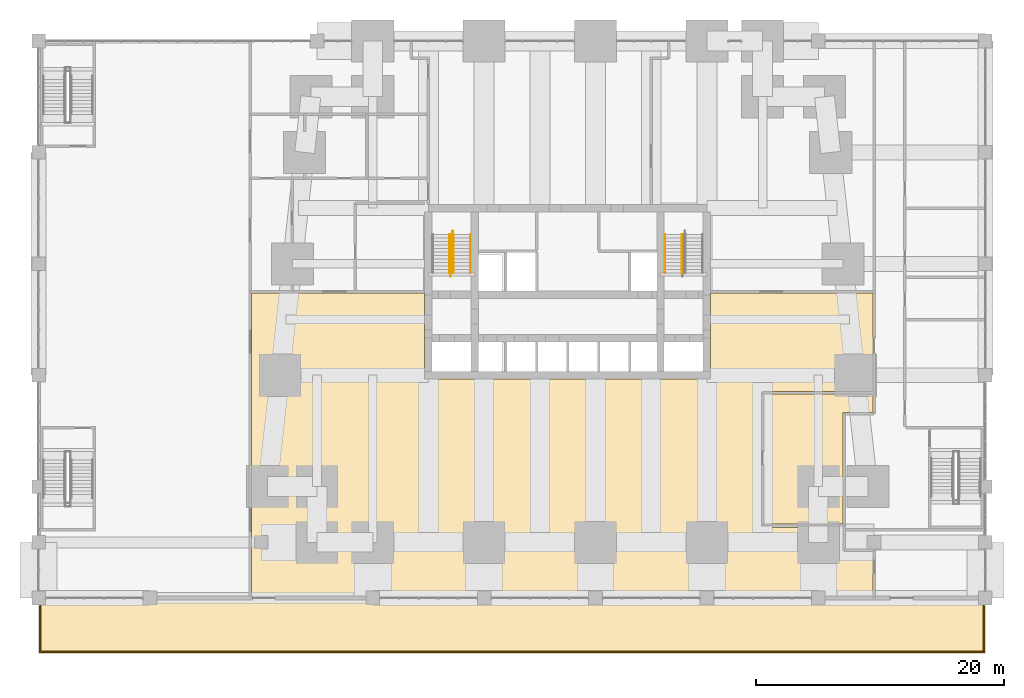
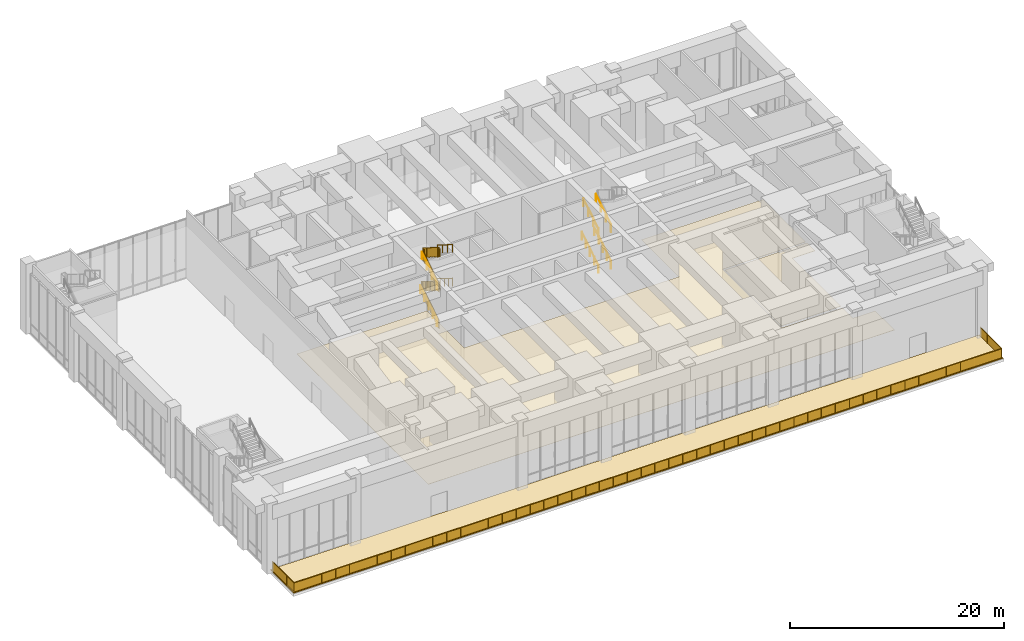
# One storey, part 24 of 26: 15 railings, 3 coverings.
"""IFC4 building model written with IfcOpenShell, lengths in metres."""

from ifc_helpers import new_model, si_unit, direction, frame, origin, origin_2d, place, context, subcontext, project, spatial, polyline, circle, outline, extrude, material, layer, layer_set, type_object, element, save


model = new_model("IFC4")

# Units and contexts
model_context = context("Model", 3, precision=1e-05, world=origin(), true_north=direction((0.0, 1.0)))
body_context = subcontext(model_context, "Body", "Model", "MODEL_VIEW")
ifc_project = project(units=[si_unit("LENGTHUNIT", "METRE"), si_unit("AREAUNIT", "SQUARE_METRE"), si_unit("VOLUMEUNIT", "CUBIC_METRE"), si_unit("PLANEANGLEUNIT", "RADIAN"), si_unit("MASSUNIT", "GRAM", prefix="KILO")], contexts=[model_context])

# Site, building, storey
site_placement = place(None, origin())
site = spatial("IfcSite", under=ifc_project, at=site_placement, CompositionType="ELEMENT")
building_placement = place(site_placement, origin())
building = spatial("IfcBuilding", under=site, at=building_placement, Name="Kilele Tower Hotel", CompositionType="ELEMENT")
storey_placement = place(building_placement, frame((0.0, 0.0, 11.0)))
storey = spatial("IfcBuildingStorey", under=building, at=storey_placement, Name="L02", CompositionType="ELEMENT", Elevation=11.0)

# Railings
ifc_material_1 = material(Name="Toughened laminated glass balustrade", Category="glass")
railing_type_1 = type_object("IfcRailingType", Name="Glass balustrade 1100", PredefinedType="BALUSTRADE", material=ifc_material_1)
railing_1_placement = place(storey_placement, frame((58.35009765625, -4.800048828125, 0.050048828125)))
element("IfcRailing", 1, at=railing_1_placement, inside=storey, type_object=railing_type_1, Name="Terrace balustrade", PredefinedType="BALUSTRADE", context=body_context, shape_type="SweptSolid", body=[
    extrude(circle(Radius=0.030029296875, at=origin_2d()), frame((0.0, 0.0, 1.070068359375), z_axis=(0.0, -1.0, 0.0), x_axis=(1.0, 0.0, 0.0)), (0.0, 0.0, 1.0), 4.050048828125),
    extrude(circle(Radius=0.030029296875, at=origin_2d()), frame((0.0, -4.050048828125, 1.070068359375), z_axis=(-1.0, 0.0, 0.0), x_axis=(0.0, -1.0, 0.0)), (0.0, 0.0, 1.0), 76.2001953125),
    extrude(circle(Radius=0.030029296875, at=origin_2d()), frame((-76.2001953125, -4.050048828125, 1.070068359375), z_axis=(0.0, 1.0, 0.0), x_axis=(-1.0, 0.0, 0.0)), (0.0, 0.0, 1.0), 4.050048828125),
    extrude(circle(Radius=0.02490234375, at=origin_2d()), origin(), (0.0, 0.0, 1.0), 1.0400390625),
    extrude(circle(Radius=0.02490234375, at=origin_2d()), frame((0.0, -1.35009765625, 0.0)), (0.0, 0.0, 1.0), 1.0400390625),
    extrude(circle(Radius=0.02490234375, at=origin_2d()), frame((0.0, -2.699951171875, 0.0)), (0.0, 0.0, 1.0), 1.0400390625),
    extrude(circle(Radius=0.02490234375, at=origin_2d()), frame((0.0, -4.050048828125, 0.0)), (0.0, 0.0, 1.0), 1.0400390625),
    extrude(circle(Radius=0.02490234375, at=origin_2d()), frame((-1.494140625, -4.050048828125, 0.0)), (0.0, 0.0, 1.0), 1.0400390625),
    extrude(circle(Radius=0.02490234375, at=origin_2d()), frame((-2.98828125, -4.050048828125, 0.0)), (0.0, 0.0, 1.0), 1.0400390625),
    extrude(circle(Radius=0.02490234375, at=origin_2d()), frame((-4.482421875, -4.050048828125, 0.0)), (0.0, 0.0, 1.0), 1.0400390625),
    extrude(circle(Radius=0.02490234375, at=origin_2d()), frame((-5.9765625, -4.050048828125, 0.0)), (0.0, 0.0, 1.0), 1.0400390625),
    extrude(circle(Radius=0.02490234375, at=origin_2d()), frame((-7.470703125, -4.050048828125, 0.0)), (0.0, 0.0, 1.0), 1.0400390625),
    extrude(circle(Radius=0.02490234375, at=origin_2d()), frame((-8.96484375, -4.050048828125, 0.0)), (0.0, 0.0, 1.0), 1.0400390625),
    extrude(circle(Radius=0.02490234375, at=origin_2d()), frame((-10.458740234375, -4.050048828125, 0.0)), (0.0, 0.0, 1.0), 1.0400390625),
    extrude(circle(Radius=0.02490234375, at=origin_2d()), frame((-11.952880859375, -4.050048828125, 0.0)), (0.0, 0.0, 1.0), 1.0400390625),
    extrude(circle(Radius=0.02490234375, at=origin_2d()), frame((-13.447021484375, -4.050048828125, 0.0)), (0.0, 0.0, 1.0), 1.0400390625),
    extrude(circle(Radius=0.02490234375, at=origin_2d()), frame((-14.941162109375, -4.050048828125, 0.0)), (0.0, 0.0, 1.0), 1.0400390625),
    extrude(circle(Radius=0.02490234375, at=origin_2d()), frame((-16.435302734375, -4.050048828125, 0.0)), (0.0, 0.0, 1.0), 1.0400390625),
    extrude(circle(Radius=0.02490234375, at=origin_2d()), frame((-17.929443359375, -4.050048828125, 0.0)), (0.0, 0.0, 1.0), 1.0400390625),
    extrude(circle(Radius=0.02490234375, at=origin_2d()), frame((-19.423583984375, -4.050048828125, 0.0)), (0.0, 0.0, 1.0), 1.0400390625),
    extrude(circle(Radius=0.02490234375, at=origin_2d()), frame((-20.917724609375, -4.050048828125, 0.0)), (0.0, 0.0, 1.0), 1.0400390625),
    extrude(circle(Radius=0.02490234375, at=origin_2d()), frame((-22.411865234375, -4.050048828125, 0.0)), (0.0, 0.0, 1.0), 1.0400390625),
    extrude(circle(Radius=0.02490234375, at=origin_2d()), frame((-23.906005859375, -4.050048828125, 0.0)), (0.0, 0.0, 1.0), 1.0400390625),
    extrude(circle(Radius=0.02490234375, at=origin_2d()), frame((-25.400146484375, -4.050048828125, 0.0)), (0.0, 0.0, 1.0), 1.0400390625),
    extrude(circle(Radius=0.02490234375, at=origin_2d()), frame((-26.894287109375, -4.050048828125, 0.0)), (0.0, 0.0, 1.0), 1.0400390625),
    extrude(circle(Radius=0.02490234375, at=origin_2d()), frame((-28.388427734375, -4.050048828125, 0.0)), (0.0, 0.0, 1.0), 1.0400390625),
    extrude(circle(Radius=0.02490234375, at=origin_2d()), frame((-29.88232421875, -4.050048828125, 0.0)), (0.0, 0.0, 1.0), 1.0400390625),
    extrude(circle(Radius=0.02490234375, at=origin_2d()), frame((-31.37646484375, -4.050048828125, 0.0)), (0.0, 0.0, 1.0), 1.0400390625),
    extrude(circle(Radius=0.02490234375, at=origin_2d()), frame((-32.87060546875, -4.050048828125, 0.0)), (0.0, 0.0, 1.0), 1.0400390625),
    extrude(circle(Radius=0.02490234375, at=origin_2d()), frame((-34.36474609375, -4.050048828125, 0.0)), (0.0, 0.0, 1.0), 1.0400390625),
    extrude(circle(Radius=0.02490234375, at=origin_2d()), frame((-35.85888671875, -4.050048828125, 0.0)), (0.0, 0.0, 1.0), 1.0400390625),
    extrude(circle(Radius=0.02490234375, at=origin_2d()), frame((-37.35302734375, -4.050048828125, 0.0)), (0.0, 0.0, 1.0), 1.0400390625),
    extrude(circle(Radius=0.02490234375, at=origin_2d()), frame((-38.84716796875, -4.050048828125, 0.0)), (0.0, 0.0, 1.0), 1.0400390625),
    extrude(circle(Radius=0.02490234375, at=origin_2d()), frame((-40.34130859375, -4.050048828125, 0.0)), (0.0, 0.0, 1.0), 1.0400390625),
    extrude(circle(Radius=0.02490234375, at=origin_2d()), frame((-41.83544921875, -4.050048828125, 0.0)), (0.0, 0.0, 1.0), 1.0400390625),
    extrude(circle(Radius=0.02490234375, at=origin_2d()), frame((-43.32958984375, -4.050048828125, 0.0)), (0.0, 0.0, 1.0), 1.0400390625),
    extrude(circle(Radius=0.02490234375, at=origin_2d()), frame((-44.82373046875, -4.050048828125, 0.0)), (0.0, 0.0, 1.0), 1.0400390625),
    extrude(circle(Radius=0.02490234375, at=origin_2d()), frame((-46.31787109375, -4.050048828125, 0.0)), (0.0, 0.0, 1.0), 1.0400390625),
    extrude(circle(Radius=0.02490234375, at=origin_2d()), frame((-47.811767578125, -4.050048828125, 0.0)), (0.0, 0.0, 1.0), 1.0400390625),
    extrude(circle(Radius=0.02490234375, at=origin_2d()), frame((-49.305908203125, -4.050048828125, 0.0)), (0.0, 0.0, 1.0), 1.0400390625),
    extrude(circle(Radius=0.02490234375, at=origin_2d()), frame((-50.800048828125, -4.050048828125, 0.0)), (0.0, 0.0, 1.0), 1.0400390625),
    extrude(circle(Radius=0.02490234375, at=origin_2d()), frame((-52.294189453125, -4.050048828125, 0.0)), (0.0, 0.0, 1.0), 1.0400390625),
    extrude(circle(Radius=0.02490234375, at=origin_2d()), frame((-53.788330078125, -4.050048828125, 0.0)), (0.0, 0.0, 1.0), 1.0400390625),
    extrude(circle(Radius=0.02490234375, at=origin_2d()), frame((-55.282470703125, -4.050048828125, 0.0)), (0.0, 0.0, 1.0), 1.0400390625),
    extrude(circle(Radius=0.02490234375, at=origin_2d()), frame((-56.776611328125, -4.050048828125, 0.0)), (0.0, 0.0, 1.0), 1.0400390625),
    extrude(circle(Radius=0.02490234375, at=origin_2d()), frame((-58.270751953125, -4.050048828125, 0.0)), (0.0, 0.0, 1.0), 1.0400390625),
    extrude(circle(Radius=0.02490234375, at=origin_2d()), frame((-59.764892578125, -4.050048828125, 0.0)), (0.0, 0.0, 1.0), 1.0400390625),
    extrude(circle(Radius=0.02490234375, at=origin_2d()), frame((-61.259033203125, -4.050048828125, 0.0)), (0.0, 0.0, 1.0), 1.0400390625),
    extrude(circle(Radius=0.02490234375, at=origin_2d()), frame((-62.753173828125, -4.050048828125, 0.0)), (0.0, 0.0, 1.0), 1.0400390625),
    extrude(circle(Radius=0.02490234375, at=origin_2d()), frame((-64.247314453125, -4.050048828125, 0.0)), (0.0, 0.0, 1.0), 1.0400390625),
    extrude(circle(Radius=0.02490234375, at=origin_2d()), frame((-65.741455078125, -4.050048828125, 0.0)), (0.0, 0.0, 1.0), 1.0400390625),
    extrude(circle(Radius=0.02490234375, at=origin_2d()), frame((-67.2353515625, -4.050048828125, 0.0)), (0.0, 0.0, 1.0), 1.0400390625),
    extrude(circle(Radius=0.02490234375, at=origin_2d()), frame((-68.7294921875, -4.050048828125, 0.0)), (0.0, 0.0, 1.0), 1.0400390625),
    extrude(circle(Radius=0.02490234375, at=origin_2d()), frame((-70.2236328125, -4.050048828125, 0.0)), (0.0, 0.0, 1.0), 1.0400390625),
    extrude(circle(Radius=0.02490234375, at=origin_2d()), frame((-71.7177734375, -4.050048828125, 0.0)), (0.0, 0.0, 1.0), 1.0400390625),
    extrude(circle(Radius=0.02490234375, at=origin_2d()), frame((-73.2119140625, -4.050048828125, 0.0)), (0.0, 0.0, 1.0), 1.0400390625),
    extrude(circle(Radius=0.02490234375, at=origin_2d()), frame((-74.7060546875, -4.050048828125, 0.0)), (0.0, 0.0, 1.0), 1.0400390625),
    extrude(circle(Radius=0.02490234375, at=origin_2d()), frame((-76.2001953125, -4.050048828125, 0.0)), (0.0, 0.0, 1.0), 1.0400390625),
    extrude(circle(Radius=0.02490234375, at=origin_2d()), frame((-76.2001953125, -2.699951171875, 0.0)), (0.0, 0.0, 1.0), 1.0400390625),
    extrude(circle(Radius=0.02490234375, at=origin_2d()), frame((-76.2001953125, -1.35009765625, 0.0)), (0.0, 0.0, 1.0), 1.0400390625),
    extrude(circle(Radius=0.02490234375, at=origin_2d()), frame((-76.2001953125, 0.0, 0.0)), (0.0, 0.0, 1.0), 1.0400390625),
    extrude(outline(polyline([(0.0, 0.030029296875), (4.03759765625, 0.030029296875), (4.03759765625, 1.0400390625), (0.0, 1.0400390625), (0.0, 0.030029296875)])), frame((0.0087890625, 0.0, 0.0), z_axis=(-1.0, 0.0, 0.0), x_axis=(0.0, -1.0, 0.0)), (0.0, 0.0, 1.0), 0.017578125),
    extrude(outline(polyline([(0.012451171875, 0.030029296875), (76.187744140625, 0.030029296875), (76.187744140625, 1.0400390625), (0.012451171875, 1.0400390625), (0.012451171875, 0.030029296875)])), frame((0.0, -4.058837890625, 0.0), z_axis=(0.0, 1.0, 0.0), x_axis=(-1.0, 0.0, 0.0)), (0.0, 0.0, 1.0), 0.017578125),
    extrude(outline(polyline([(0.012451171875, 0.030029296875), (4.050048828125, 0.030029296875), (4.050048828125, 1.0400390625), (0.012451171875, 1.0400390625), (0.012451171875, 0.030029296875)])), frame((-76.208984375, -4.050048828125, 0.0), z_axis=(1.0, 0.0, 0.0), x_axis=(0.0, 1.0, 0.0)), (0.0, 0.0, 1.0), 0.017578125),
])
ifc_material_2 = material(Name="Steel handrail", Category="steel")
railing_type_2 = type_object("IfcRailingType", Name="Handrail 900", PredefinedType="HANDRAIL", material=ifc_material_2)
railing_2_placement = place(storey_placement, frame((15.22509765625, 21.77490234375, 0.173828125)))
element("IfcRailing", 2, at=railing_2_placement, inside=storey, type_object=railing_type_2, Name="Handrail ST1 flight 1", PredefinedType="HANDRAIL", context=body_context, shape_type="SweptSolid", body=[
    extrude(circle(Radius=0.02490234375, at=origin_2d()), frame((0.0, 0.0, 0.875), z_axis=(0.0, 0.849477832307, 0.527624309921), x_axis=(-1.0, 0.0, 0.0)), (0.0, 0.0, 1.0), 3.625732421875),
    extrude(circle(Radius=0.02001953125, at=origin_2d()), origin(), (0.0, 0.0, 1.0), 0.849853515625),
    extrude(circle(Radius=0.02001953125, at=origin_2d()), frame((0.0, 0.77001953125, 0.478271484375)), (0.0, 0.0, 1.0), 0.849853515625),
    extrude(circle(Radius=0.02001953125, at=origin_2d()), frame((0.0, 1.5400390625, 0.95654296875)), (0.0, 0.0, 1.0), 0.849853515625),
    extrude(circle(Radius=0.02001953125, at=origin_2d()), frame((0.0, 2.31005859375, 1.434814453125)), (0.0, 0.0, 1.0), 0.849853515625),
    extrude(circle(Radius=0.02001953125, at=origin_2d()), frame((0.0, 3.080078125, 1.9130859375)), (0.0, 0.0, 1.0), 0.849853515625),
])
for number, where, name in (
    (3, (15.52490234375, 24.85498046875, 2.260986328125), "Handrail ST1 flight 2"),
    (4, (16.89990234375, 24.85498046875, 2.260986328125), "Handrail ST1 flight 2"),
):
    element("IfcRailing", number, at=place(storey_placement, frame(where)), inside=storey, type_object=railing_type_2, Name=name, PredefinedType="HANDRAIL", context=body_context, shape_type="SweptSolid", body=[
        extrude(circle(Radius=0.02490234375, at=origin_2d()), frame((0.0, 0.0, 0.875), z_axis=(0.0, -0.849508011154, 0.527575718722), x_axis=(1.0, 0.0, 0.0)), (0.0, 0.0, 1.0), 3.625732421875),
        extrude(circle(Radius=0.02001953125, at=origin_2d()), origin(), (0.0, 0.0, 1.0), 0.849853515625),
        extrude(circle(Radius=0.02001953125, at=origin_2d()), frame((0.0, -0.77001953125, 0.478271484375)), (0.0, 0.0, 1.0), 0.849853515625),
        extrude(circle(Radius=0.02001953125, at=origin_2d()), frame((0.0, -1.5400390625, 0.95654296875)), (0.0, 0.0, 1.0), 0.849853515625),
        extrude(circle(Radius=0.02001953125, at=origin_2d()), frame((0.0, -2.31005859375, 1.4345703125)), (0.0, 0.0, 1.0), 0.849853515625),
        extrude(circle(Radius=0.02001953125, at=origin_2d()), frame((0.0, -3.080078125, 1.912841796875)), (0.0, 0.0, 1.0), 0.849853515625),
    ])
railing_3_placement = place(storey_placement, frame((15.22509765625, 21.77490234375, 4.347900390625)))
element("IfcRailing", 5, at=railing_3_placement, inside=storey, type_object=railing_type_2, Name="Handrail ST1 flight 3", PredefinedType="HANDRAIL", context=body_context, shape_type="SweptSolid", body=[
    extrude(circle(Radius=0.02490234375, at=origin_2d()), frame((0.0, 0.0, 0.875), z_axis=(0.0, 0.849497083269, 0.527593314511), x_axis=(-1.0, 0.0, 0.0)), (0.0, 0.0, 1.0), 3.296142578125),
    extrude(circle(Radius=0.02001953125, at=origin_2d()), origin(), (0.0, 0.0, 1.0), 0.849853515625),
    extrude(circle(Radius=0.02001953125, at=origin_2d()), frame((0.0, 0.933349609375, 0.57958984375)), (0.0, 0.0, 1.0), 0.849853515625),
    extrude(circle(Radius=0.02001953125, at=origin_2d()), frame((0.0, 1.86669921875, 1.159423828125)), (0.0, 0.0, 1.0), 0.849853515625),
    extrude(circle(Radius=0.02001953125, at=origin_2d()), frame((0.0, 2.800048828125, 1.739013671875)), (0.0, 0.0, 1.0), 0.849853515625),
])
for number, where, name in (
    (6, (15.52490234375, 24.574951171875, 6.260986328125), "Handrail ST1 flight 4"),
    (7, (16.89990234375, 24.574951171875, 6.260986328125), "Handrail ST1 flight 4"),
):
    element("IfcRailing", number, at=place(storey_placement, frame(where)), inside=storey, type_object=railing_type_2, Name=name, PredefinedType="HANDRAIL", context=body_context, shape_type="SweptSolid", body=[
        extrude(circle(Radius=0.02490234375, at=origin_2d()), frame((0.0, 0.0, 0.875), z_axis=(0.0, -0.849497083269, 0.527593314511), x_axis=(1.0, 0.0, 0.0)), (0.0, 0.0, 1.0), 3.296142578125),
        extrude(circle(Radius=0.02001953125, at=origin_2d()), origin(), (0.0, 0.0, 1.0), 0.849853515625),
        extrude(circle(Radius=0.02001953125, at=origin_2d()), frame((0.0, -0.933349609375, 0.57958984375)), (0.0, 0.0, 1.0), 0.849853515625),
        extrude(circle(Radius=0.02001953125, at=origin_2d()), frame((0.0, -1.86669921875, 1.159423828125)), (0.0, 0.0, 1.0), 0.849853515625),
        extrude(circle(Radius=0.02001953125, at=origin_2d()), frame((0.0, -2.800048828125, 1.739013671875)), (0.0, 0.0, 1.0), 0.849853515625),
    ])
for number, where, name in (
    (8, (32.60009765625, 21.77490234375, 0.173828125), "Handrail ST2 flight 1"),
    (9, (33.97509765625, 21.77490234375, 0.173828125), "Handrail ST2 flight 1"),
):
    element("IfcRailing", number, at=place(storey_placement, frame(where)), inside=storey, type_object=railing_type_2, Name=name, PredefinedType="HANDRAIL", context=body_context, shape_type="SweptSolid", body=[
        extrude(circle(Radius=0.02490234375, at=origin_2d()), frame((0.0, 0.0, 0.875), z_axis=(0.0, 0.849477832307, 0.527624309921), x_axis=(-1.0, 0.0, 0.0)), (0.0, 0.0, 1.0), 3.625732421875),
        extrude(circle(Radius=0.02001953125, at=origin_2d()), origin(), (0.0, 0.0, 1.0), 0.849853515625),
        extrude(circle(Radius=0.02001953125, at=origin_2d()), frame((0.0, 0.77001953125, 0.478271484375)), (0.0, 0.0, 1.0), 0.849853515625),
        extrude(circle(Radius=0.02001953125, at=origin_2d()), frame((0.0, 1.5400390625, 0.95654296875)), (0.0, 0.0, 1.0), 0.849853515625),
        extrude(circle(Radius=0.02001953125, at=origin_2d()), frame((0.0, 2.31005859375, 1.434814453125)), (0.0, 0.0, 1.0), 0.849853515625),
        extrude(circle(Radius=0.02001953125, at=origin_2d()), frame((0.0, 3.080078125, 1.9130859375)), (0.0, 0.0, 1.0), 0.849853515625),
    ])
for number, where, name in (
    (10, (32.60009765625, 21.77490234375, 4.347900390625), "Handrail ST2 flight 3"),
    (11, (33.97509765625, 21.77490234375, 4.347900390625), "Handrail ST2 flight 3"),
):
    element("IfcRailing", number, at=place(storey_placement, frame(where)), inside=storey, type_object=railing_type_2, Name=name, PredefinedType="HANDRAIL", context=body_context, shape_type="SweptSolid", body=[
        extrude(circle(Radius=0.02490234375, at=origin_2d()), frame((0.0, 0.0, 0.875), z_axis=(0.0, 0.849497083269, 0.527593314511), x_axis=(-1.0, 0.0, 0.0)), (0.0, 0.0, 1.0), 3.296142578125),
        extrude(circle(Radius=0.02001953125, at=origin_2d()), origin(), (0.0, 0.0, 1.0), 0.849853515625),
        extrude(circle(Radius=0.02001953125, at=origin_2d()), frame((0.0, 0.933349609375, 0.57958984375)), (0.0, 0.0, 1.0), 0.849853515625),
        extrude(circle(Radius=0.02001953125, at=origin_2d()), frame((0.0, 1.86669921875, 1.159423828125)), (0.0, 0.0, 1.0), 0.849853515625),
        extrude(circle(Radius=0.02001953125, at=origin_2d()), frame((0.0, 2.800048828125, 1.739013671875)), (0.0, 0.0, 1.0), 0.849853515625),
    ])
ifc_material_3 = material(Name="Steel guard", Category="steel")
railing_type_3 = type_object("IfcRailingType", Name="Stair guard 1100", PredefinedType="GUARDRAIL", material=ifc_material_3)
railing_4_placement = place(storey_placement, frame((15.284912109375, 21.4951171875, 0.0)))
element("IfcRailing", 12, at=railing_4_placement, inside=storey, type_object=railing_type_3, Name="Stair well guard ST1 flight 1", PredefinedType="GUARDRAIL", context=body_context, shape_type="SweptSolid", body=[
    extrude(circle(Radius=0.02490234375, at=origin_2d()), frame((0.0, 0.0, 1.0751953125), z_axis=(0.0, 0.849472271014, 0.527633263525), x_axis=(-1.0, 0.0, 0.0)), (0.0, 0.0, 1.0), 3.955322265625),
    extrude(circle(Radius=0.02490234375, at=origin_2d()), frame((0.0, 3.35986328125, 3.162109375), z_axis=(1.0, 0.0, 0.0), x_axis=(0.0, 1.0, 0.0)), (0.0, 0.0, 1.0), 0.18017578125),
    extrude(circle(Radius=0.02490234375, at=origin_2d()), origin(), (0.0, 0.0, 1.0), 1.050048828125),
    extrude(circle(Radius=0.02490234375, at=origin_2d()), frame((0.0, 0.83984375, 0.521728515625)), (0.0, 0.0, 1.0), 1.050048828125),
    extrude(circle(Radius=0.02490234375, at=origin_2d()), frame((0.0, 1.679931640625, 1.04345703125)), (0.0, 0.0, 1.0), 1.050048828125),
    extrude(circle(Radius=0.02490234375, at=origin_2d()), frame((0.0, 2.52001953125, 1.565185546875)), (0.0, 0.0, 1.0), 1.050048828125),
    extrude(circle(Radius=0.02490234375, at=origin_2d()), frame((0.0, 3.35986328125, 2.0869140625)), (0.0, 0.0, 1.0), 1.050048828125),
    extrude(circle(Radius=0.02490234375, at=origin_2d()), frame((0.18017578125, 3.35986328125, 2.0869140625)), (0.0, 0.0, 1.0), 1.050048828125),
    extrude(outline(polyline([(0.012451171875, 0.030029296875), (0.25, 0.030029296875), (0.25, 0.203857421875), (0.530029296875, 0.203857421875), (0.530029296875, 0.3779296875), (0.81005859375, 0.3779296875), (0.81005859375, 0.5517578125), (1.08984375, 0.5517578125), (1.08984375, 0.7255859375), (1.369873046875, 0.7255859375), (1.369873046875, 0.899658203125), (1.64990234375, 0.899658203125), (1.64990234375, 1.073486328125), (1.929931640625, 1.073486328125), (1.929931640625, 1.247314453125), (2.2099609375, 1.247314453125), (2.2099609375, 1.42138671875), (2.48974609375, 1.42138671875), (2.48974609375, 1.59521484375), (2.769775390625, 1.59521484375), (2.769775390625, 1.76904296875), (3.0498046875, 1.76904296875), (3.0498046875, 1.943115234375), (3.329833984375, 1.943115234375), (3.329833984375, 2.116943359375), (3.347412109375, 2.116943359375), (3.347412109375, 3.124755859375), (0.012451171875, 1.053466796875), (0.012451171875, 0.030029296875)])), frame((-0.005859375, 0.0, 0.0), z_axis=(1.0, 0.0, 0.0), x_axis=(0.0, 1.0, 0.0)), (0.0, 0.0, 1.0), 0.011962890625),
    extrude(outline(polyline([(0.012451171875, 0.030029296875), (0.18017578125, 0.030029296875), (0.18017578125, 1.050048828125), (0.012451171875, 1.050048828125), (0.012451171875, 0.030029296875)])), frame((0.0, 3.36572265625, 2.0869140625), z_axis=(0.0, -1.0, 0.0), x_axis=(1.0, 0.0, 0.0)), (0.0, 0.0, 1.0), 0.011962890625),
])
railing_5_placement = place(storey_placement, frame((15.465087890625, 25.135009765625, 2.0869140625)))
element("IfcRailing", 13, at=railing_5_placement, inside=storey, type_object=railing_type_3, Name="Stair well guard ST1 flight 2", PredefinedType="GUARDRAIL", context=body_context, shape_type="SweptSolid", body=[
    extrude(circle(Radius=0.02490234375, at=origin_2d()), frame((0.0, 0.0, 1.0751953125), z_axis=(0.0, -0.849489453968, 0.527605598527), x_axis=(1.0, 0.0, 0.0)), (0.0, 0.0, 1.0), 3.955322265625),
    extrude(circle(Radius=0.02490234375, at=origin_2d()), frame((0.0, -3.360107421875, 3.162109375), z_axis=(-1.0, 0.0, 0.0), x_axis=(0.0, -1.0, 0.0)), (0.0, 0.0, 1.0), 0.18017578125),
    extrude(circle(Radius=0.02490234375, at=origin_2d()), origin(), (0.0, 0.0, 1.0), 1.050048828125),
    extrude(circle(Radius=0.02490234375, at=origin_2d()), frame((0.0, -0.840087890625, 0.521728515625)), (0.0, 0.0, 1.0), 1.050048828125),
    extrude(circle(Radius=0.02490234375, at=origin_2d()), frame((0.0, -1.68017578125, 1.04345703125)), (0.0, 0.0, 1.0), 1.050048828125),
    extrude(circle(Radius=0.02490234375, at=origin_2d()), frame((0.0, -2.52001953125, 1.565185546875)), (0.0, 0.0, 1.0), 1.050048828125),
    extrude(circle(Radius=0.02490234375, at=origin_2d()), frame((0.0, -3.360107421875, 2.0869140625)), (0.0, 0.0, 1.0), 1.050048828125),
    extrude(circle(Radius=0.02490234375, at=origin_2d()), frame((-0.18017578125, -3.360107421875, 2.0869140625)), (0.0, 0.0, 1.0), 1.050048828125),
    extrude(outline(polyline([(0.0, 0.030029296875), (0.25, 0.030029296875), (0.25, 0.203857421875), (0.530029296875, 0.203857421875), (0.530029296875, 0.3779296875), (0.81005859375, 0.3779296875), (0.81005859375, 0.5517578125), (1.090087890625, 0.5517578125), (1.090087890625, 0.7255859375), (1.3701171875, 0.7255859375), (1.3701171875, 0.899658203125), (1.64990234375, 0.899658203125), (1.64990234375, 1.073486328125), (1.929931640625, 1.073486328125), (1.929931640625, 1.247314453125), (2.2099609375, 1.247314453125), (2.2099609375, 1.42138671875), (2.489990234375, 1.42138671875), (2.489990234375, 1.59521484375), (2.77001953125, 1.59521484375), (2.77001953125, 1.76904296875), (3.050048828125, 1.76904296875), (3.050048828125, 1.943115234375), (3.330078125, 1.943115234375), (3.330078125, 2.116943359375), (3.34765625, 2.116943359375), (3.34765625, 3.124755859375), (0.0, 1.045654296875), (0.0, 0.030029296875)])), frame((0.005859375, 0.0, 0.0), z_axis=(-1.0, 0.0, 0.0), x_axis=(0.0, -1.0, 0.0)), (0.0, 0.0, 1.0), 0.011962890625),
    extrude(outline(polyline([(0.012451171875, 0.030029296875), (0.18017578125, 0.030029296875), (0.18017578125, 1.050048828125), (0.012451171875, 1.050048828125), (0.012451171875, 0.030029296875)])), frame((0.0, -3.3662109375, 2.0869140625), z_axis=(0.0, 1.0, 0.0), x_axis=(-1.0, 0.0, 0.0)), (0.0, 0.0, 1.0), 0.011962890625),
])
railing_6_placement = place(storey_placement, frame((15.284912109375, 21.4951171875, 4.173828125)))
element("IfcRailing", 14, at=railing_6_placement, inside=storey, type_object=railing_type_3, Name="Stair well guard ST1 flight 3", PredefinedType="GUARDRAIL", context=body_context, shape_type="SweptSolid", body=[
    extrude(circle(Radius=0.02490234375, at=origin_2d()), frame((0.0, 0.0, 1.0751953125), z_axis=(0.0, 0.849459085935, 0.527654490479), x_axis=(-1.0, 0.0, 0.0)), (0.0, 0.0, 1.0), 3.625732421875),
    extrude(circle(Radius=0.02490234375, at=origin_2d()), frame((0.0, 3.079833984375, 2.98828125), z_axis=(1.0, 0.0, 0.0), x_axis=(0.0, 1.0, 0.0)), (0.0, 0.0, 1.0), 0.18017578125),
    extrude(circle(Radius=0.02490234375, at=origin_2d()), origin(), (0.0, 0.0, 1.0), 1.050048828125),
    extrude(circle(Radius=0.02490234375, at=origin_2d()), frame((0.0, 0.77001953125, 0.478271484375)), (0.0, 0.0, 1.0), 1.050048828125),
    extrude(circle(Radius=0.02490234375, at=origin_2d()), frame((0.0, 1.5400390625, 0.95654296875)), (0.0, 0.0, 1.0), 1.050048828125),
    extrude(circle(Radius=0.02490234375, at=origin_2d()), frame((0.0, 2.309814453125, 1.434814453125)), (0.0, 0.0, 1.0), 1.050048828125),
    extrude(circle(Radius=0.02490234375, at=origin_2d()), frame((0.0, 3.079833984375, 1.9130859375)), (0.0, 0.0, 1.0), 1.050048828125),
    extrude(circle(Radius=0.02490234375, at=origin_2d()), frame((0.18017578125, 3.079833984375, 1.9130859375)), (0.0, 0.0, 1.0), 1.050048828125),
    extrude(outline(polyline([(0.012451171875, 0.030029296875), (0.25, 0.030029296875), (0.25, 0.203857421875), (0.530029296875, 0.203857421875), (0.530029296875, 0.3779296875), (0.809814453125, 0.3779296875), (0.809814453125, 0.5517578125), (1.08984375, 0.5517578125), (1.08984375, 0.7255859375), (1.369873046875, 0.7255859375), (1.369873046875, 0.899658203125), (1.64990234375, 0.899658203125), (1.64990234375, 1.073486328125), (1.929931640625, 1.073486328125), (1.929931640625, 1.24755859375), (2.2099609375, 1.24755859375), (2.2099609375, 1.42138671875), (2.48974609375, 1.42138671875), (2.48974609375, 1.59521484375), (2.769775390625, 1.59521484375), (2.769775390625, 1.769287109375), (3.0498046875, 1.769287109375), (3.0498046875, 1.943115234375), (3.0673828125, 1.943115234375), (3.0673828125, 2.950927734375), (0.012451171875, 1.053466796875), (0.012451171875, 0.030029296875)])), frame((-0.005859375, 0.0, 0.0), z_axis=(1.0, 0.0, 0.0), x_axis=(0.0, 1.0, 0.0)), (0.0, 0.0, 1.0), 0.011962890625),
    extrude(outline(polyline([(0.012451171875, 0.030029296875), (0.18017578125, 0.030029296875), (0.18017578125, 1.050048828125), (0.012451171875, 1.050048828125), (0.012451171875, 0.030029296875)])), frame((0.0, 3.0859375, 1.9130859375), z_axis=(0.0, -1.0, 0.0), x_axis=(1.0, 0.0, 0.0)), (0.0, 0.0, 1.0), 0.011962890625),
])
railing_7_placement = place(storey_placement, frame((15.465087890625, 24.85498046875, 6.0869140625)))
element("IfcRailing", 15, at=railing_7_placement, inside=storey, type_object=railing_type_3, Name="Stair well guard ST1 flight 4", PredefinedType="GUARDRAIL", context=body_context, shape_type="SweptSolid", body=[
    extrude(circle(Radius=0.02490234375, at=origin_2d()), frame((0.0, 0.0, 1.0751953125), z_axis=(0.0, -0.849477832307, 0.527624309921), x_axis=(1.0, 0.0, 0.0)), (0.0, 0.0, 1.0), 3.625732421875),
    extrude(circle(Radius=0.02490234375, at=origin_2d()), frame((0.0, -3.080078125, 2.98828125), z_axis=(-1.0, 0.0, 0.0), x_axis=(0.0, -1.0, 0.0)), (0.0, 0.0, 1.0), 0.18017578125),
    extrude(circle(Radius=0.02490234375, at=origin_2d()), origin(), (0.0, 0.0, 1.0), 1.050048828125),
    extrude(circle(Radius=0.02490234375, at=origin_2d()), frame((0.0, -0.77001953125, 0.478271484375)), (0.0, 0.0, 1.0), 1.050048828125),
    extrude(circle(Radius=0.02490234375, at=origin_2d()), frame((0.0, -1.5400390625, 0.95654296875)), (0.0, 0.0, 1.0), 1.050048828125),
    extrude(circle(Radius=0.02490234375, at=origin_2d()), frame((0.0, -2.31005859375, 1.434814453125)), (0.0, 0.0, 1.0), 1.050048828125),
    extrude(circle(Radius=0.02490234375, at=origin_2d()), frame((0.0, -3.080078125, 1.9130859375)), (0.0, 0.0, 1.0), 1.050048828125),
    extrude(circle(Radius=0.02490234375, at=origin_2d()), frame((-0.18017578125, -3.080078125, 1.9130859375)), (0.0, 0.0, 1.0), 1.050048828125),
    extrude(outline(polyline([(0.0, 0.030029296875), (0.25, 0.030029296875), (0.25, 0.203857421875), (0.530029296875, 0.203857421875), (0.530029296875, 0.3779296875), (0.81005859375, 0.3779296875), (0.81005859375, 0.5517578125), (1.090087890625, 0.5517578125), (1.090087890625, 0.7255859375), (1.3701171875, 0.7255859375), (1.3701171875, 0.899658203125), (1.64990234375, 0.899658203125), (1.64990234375, 1.073486328125), (1.929931640625, 1.073486328125), (1.929931640625, 1.24755859375), (2.2099609375, 1.24755859375), (2.2099609375, 1.42138671875), (2.489990234375, 1.42138671875), (2.489990234375, 1.59521484375), (2.77001953125, 1.59521484375), (2.77001953125, 1.769287109375), (3.050048828125, 1.769287109375), (3.050048828125, 1.943115234375), (3.067626953125, 1.943115234375), (3.067626953125, 2.950927734375), (0.0, 1.045654296875), (0.0, 0.030029296875)])), frame((0.005859375, 0.0, 0.0), z_axis=(-1.0, 0.0, 0.0), x_axis=(0.0, -1.0, 0.0)), (0.0, 0.0, 1.0), 0.011962890625),
    extrude(outline(polyline([(0.012451171875, 0.030029296875), (0.18017578125, 0.030029296875), (0.18017578125, 1.050048828125), (0.012451171875, 1.050048828125), (0.012451171875, 0.030029296875)])), frame((0.0, -3.0859375, 1.9130859375), z_axis=(0.0, 1.0, 0.0), x_axis=(-1.0, 0.0, 0.0)), (0.0, 0.0, 1.0), 0.011962890625),
])

# Coverings
ifc_material_4 = material(Name="Gypsum board suspended ceiling", Category="gypsum")
ifc_layer_1 = layer(ifc_material_4, 0.02490234375)
ifc_layer_set_1 = layer_set([ifc_layer_1], Name="Gypsum board suspended ceiling")
covering_type_1 = type_object("IfcCoveringType", Name="Suspended ceiling 25", PredefinedType="CEILING", material=ifc_layer_set_1)
covering_1_placement = place(storey_placement, frame((0.0, 0.0, 3.60009765625)))
element("IfcCovering", 16, at=covering_1_placement, inside=storey, type_object=covering_type_1, Name="Suspended ceiling Bridal preparation suite", PredefinedType="CEILING", context=body_context, shape_type="SweptSolid", body=[
    extrude(outline(polyline([(40.60009765625, 1.5), (40.60009765625, 12.0), (49.39990234375, 12.0), (49.39990234375, 10.5), (47.0, 10.5), (47.0, 1.5), (40.60009765625, 1.5)])), origin(), (0.0, 0.0, 1.0), 0.02490234375),
])
covering_2_placement = place(storey_placement, frame((0.0, 0.0, 3.60009765625)))
element("IfcCovering", 17, at=covering_2_placement, inside=storey, type_object=covering_type_1, Name="Suspended ceiling Pre-function foyer", PredefinedType="CEILING", context=body_context, shape_type="SweptSolid", body=[
    extrude(outline(polyline([(47.0, -0.75), (49.39990234375, -0.75), (49.39990234375, -4.35009765625), (-0.800048828125, -4.35009765625), (-0.800048828125, 20.14990234375), (13.199951171875, 20.14990234375), (13.199951171875, 13.199951171875), (36.300048828125, 13.199951171875), (36.300048828125, 20.14990234375), (49.39990234375, 20.14990234375), (49.39990234375, 12.199951171875), (40.5, 12.199951171875), (40.5, 1.199951171875), (47.0, 1.199951171875), (47.0, -0.75)])), origin(), (0.0, 0.0, 1.0), 0.02490234375),
])
ifc_material_5 = material(Name="Natural stone paving on pedestals", Category="masonry")
ifc_layer_2 = layer(ifc_material_5, 0.050048828125)
ifc_layer_set_2 = layer_set([ifc_layer_2], Name="Natural stone paving on pedestals")
covering_type_2 = type_object("IfcCoveringType", Name="Terrace paving 50", PredefinedType="FLOORING", material=ifc_layer_set_2)
covering_3_placement = place(storey_placement, origin())
element("IfcCovering", 18, at=covering_3_placement, inside=storey, type_object=covering_type_2, Name="Terrace paving", PredefinedType="FLOORING", context=body_context, shape_type="SweptSolid", body=[
    extrude(outline(polyline([(58.449951171875, -8.949951171875), (-17.949951171875, -8.949951171875), (-17.949951171875, -4.551025390625), (58.449951171875, -4.551025390625), (58.449951171875, -8.949951171875)])), origin(), (0.0, 0.0, 1.0), 0.050048828125),
])

save(model, "model.ifc")
